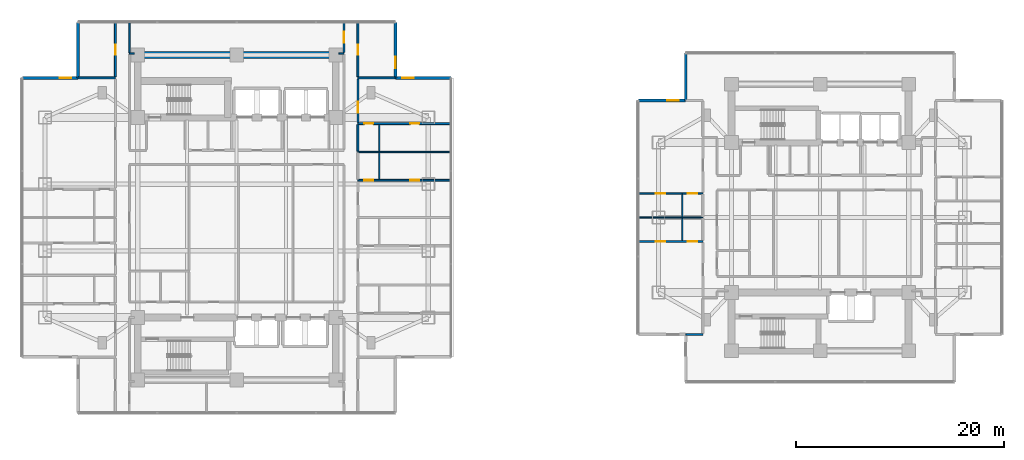
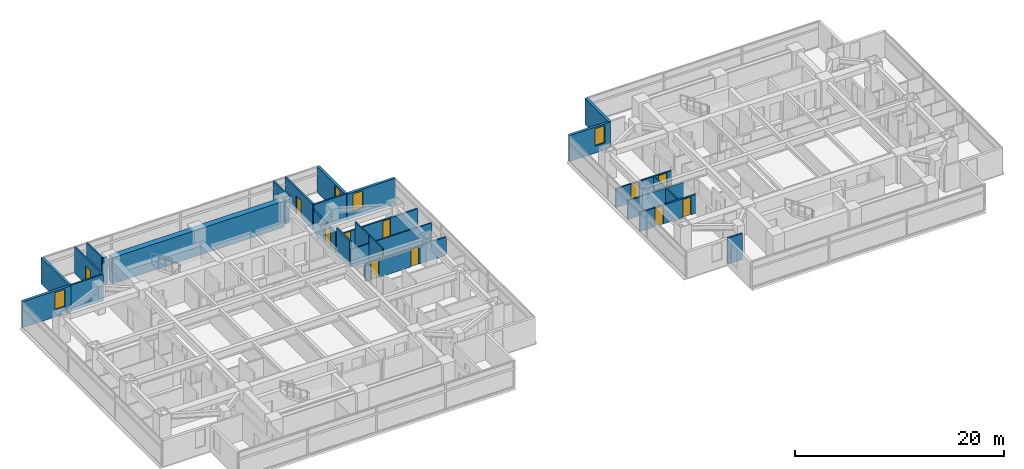
# One storey, part 17 of 27: 28 walls, 12 doors, 4 windows, 16 openings.
"""IFC4 building model written with IfcOpenShell, lengths in metres."""

from ifc_helpers import new_model, si_unit, direction, frame, frame_2d, origin, place, context, subcontext, project, spatial, rectangle, extrude, material, layer, layer_set, type_object, element, fill, save


model = new_model("IFC4")

# Units and contexts
model_context = context("Model", 3, precision=1e-05, world=origin(), true_north=direction((0.0, 1.0)))
body_context = subcontext(model_context, "Body", "Model", "MODEL_VIEW")
ifc_project = project(units=[si_unit("LENGTHUNIT", "METRE"), si_unit("AREAUNIT", "SQUARE_METRE"), si_unit("VOLUMEUNIT", "CUBIC_METRE"), si_unit("PLANEANGLEUNIT", "RADIAN"), si_unit("MASSUNIT", "GRAM", prefix="KILO")], contexts=[model_context])

# Site, building, storey
site_placement = place(None, origin())
site = spatial("IfcSite", under=ifc_project, at=site_placement, CompositionType="ELEMENT")
building_placement = place(site_placement, origin())
building = spatial("IfcBuilding", under=site, at=building_placement, Name="Mirazonda Arch Towers", CompositionType="ELEMENT")
storey_placement = place(building_placement, frame((0.0, 0.0, 52.10009765625)))
storey = spatial("IfcBuildingStorey", under=building, at=storey_placement, Name="L14", CompositionType="ELEMENT", Elevation=52.10009765625)

# Wall
ifc_material_1 = material(Name="Concrete C60/75", Category="concrete")
ifc_layer_1 = layer(ifc_material_1, 0.64990234375, Name="WALL-CORE-650")
ifc_layer_set_1 = layer_set([ifc_layer_1], Name="Concrete C60/75")
wall_type_1 = type_object("IfcWallType", Name="WALL-CORE-650", PredefinedType="SHEAR", material=ifc_layer_set_1)
wall_1_placement = place(storey_placement, frame((11.0, 43.60009765625, 0.0), z_axis=(0.0, 0.0, 1.0), x_axis=(1.0, 0.0, 0.0)))
element("IfcWall", 1, at=wall_1_placement, inside=storey, type_object=wall_type_1, Name="L14 T1N-N Core Shear Wall", PredefinedType="SHEAR", context=body_context, shape_type="SweptSolid", body=[
    extrude(rectangle(XDim=19.0, YDim=0.64990234375, at=frame_2d((9.5, 0.0))), origin(), (0.0, 0.0, 1.0), 3.059814453125),
])

# Wall, opening, window
ifc_material_2 = material(Name="Precast Concrete C40/50", Category="concrete")
ifc_layer_2 = layer(ifc_material_2, 0.280029296875, Name="WALL-EXT-WALL-280")
ifc_layer_set_2 = layer_set([ifc_layer_2], Name="Precast Concrete C40/50")
wall_type_2 = type_object("IfcWallType", Name="WALL-EXT-WALL-280", PredefinedType="SOLIDWALL", material=ifc_layer_set_2)
wall_2_placement = place(storey_placement, frame((35.739990234375, 41.39990234375, 0.0), z_axis=(0.0, 0.0, 1.0), x_axis=(0.0, 1.0, 0.0)))
wall_2 = element("IfcWall", 2, at=wall_2_placement, inside=storey, type_object=wall_type_2, Name="L14 T1 Notched NE Corner Wall WL-L14-T1-CNE", PredefinedType="SOLIDWALL", context=body_context, shape_type="SweptSolid", body=[
    extrude(rectangle(XDim=5.340087890625, YDim=0.280029296875, at=frame_2d((2.669921875, 0.0))), origin(), (0.0, 0.0, 1.0), 3.039794921875),
])
opening_1_placement = place(wall_2_placement, frame((0.949951171875, 0.0, 0.85009765625)))
opening_1 = element("IfcOpeningElement", 3, at=opening_1_placement, cuts=wall_2, Name="Opening WN-108", PredefinedType="OPENING", context=body_context, shape_type="SweptSolid", body=[
    extrude(rectangle(XDim=1.10009765625, YDim=2.0, at=frame_2d((0.550048828125, 1.0))), frame((0.0, 0.14990234375, 0.0), z_axis=(0.0, -1.0, 0.0), x_axis=(1.0, 0.0, 0.0)), (0.0, 0.0, 1.0), 0.300048828125),
])
ifc_material_3 = material(Name="Insulated Low-E Solar Glass", Category="glass")
window_type = type_object("IfcWindowType", Name="WIN-NOTCH-1100x2000", PartitioningType="SINGLE_PANEL", PredefinedType="WINDOW", material=ifc_material_3)
window_1_placement = place(opening_1_placement, origin())
window_1 = element("IfcWindow", 4, at=window_1_placement, inside=storey, type_object=window_type, Name="L14 Punched Facade Window WN-L14-T1-CNE", OverallHeight=2.0, OverallWidth=1.10009765625, PartitioningType="SINGLE_PANEL", PredefinedType="WINDOW", context=body_context, shape_type="SweptSolid", body=[
    extrude(rectangle(XDim=1.10009765625, YDim=2.0, at=frame_2d((0.550048828125, 1.0))), frame((0.0, 0.030029296875, 0.0), z_axis=(0.0, -1.0, 0.0), x_axis=(1.0, 0.0, 0.0)), (0.0, 0.0, 1.0), 0.06005859375),
])
fill(opening_1, window_1)

wall_3_placement = place(storey_placement, frame((5.260009765625, 41.39990234375, 0.0), z_axis=(0.0, 0.0, 1.0), x_axis=(-1.0, 0.0, 0.0)))
wall_3 = element("IfcWall", 5, at=wall_3_placement, inside=storey, type_object=wall_type_2, Name="L14 T1 Corner Notch Return Wall WL-L14-T1-CNW1", PredefinedType="SOLIDWALL", context=body_context, shape_type="SweptSolid", body=[
    extrude(rectangle(XDim=5.340087890625, YDim=0.280029296875, at=frame_2d((2.669921875, 0.0))), origin(), (0.0, 0.0, 1.0), 3.039794921875),
])
opening_2_placement = place(wall_3_placement, frame((0.64990234375, 0.0, 0.85009765625)))
opening_2 = element("IfcOpeningElement", 6, at=opening_2_placement, cuts=wall_3, Name="Opening WN-108", PredefinedType="OPENING", context=body_context, shape_type="SweptSolid", body=[
    extrude(rectangle(XDim=1.10009765625, YDim=2.0, at=frame_2d((0.550048828125, 1.0))), frame((0.0, 0.14990234375, 0.0), z_axis=(0.0, -1.0, 0.0), x_axis=(1.0, 0.0, 0.0)), (0.0, 0.0, 1.0), 0.300048828125),
])
window_2_placement = place(opening_2_placement, origin())
window_2 = element("IfcWindow", 7, at=window_2_placement, inside=storey, type_object=window_type, Name="L14 Punched Facade Window WN-L14-T1-CNW1", OverallHeight=2.0, OverallWidth=1.10009765625, PartitioningType="SINGLE_PANEL", PredefinedType="WINDOW", context=body_context, shape_type="SweptSolid", body=[
    extrude(rectangle(XDim=1.10009765625, YDim=2.0, at=frame_2d((0.550048828125, 1.0))), frame((0.0, 0.030029296875, 0.0), z_axis=(0.0, -1.0, 0.0), x_axis=(1.0, 0.0, 0.0)), (0.0, 0.0, 1.0), 0.06005859375),
])
fill(opening_2, window_2)

# Wall
wall_4_placement = place(storey_placement, frame((5.260009765625, 46.739990234375, 0.0), z_axis=(0.0, 0.0, 1.0), x_axis=(0.0, -1.0, 0.0)))
element("IfcWall", 8, at=wall_4_placement, inside=storey, type_object=wall_type_2, Name="L14 T1 Corner Notch Return Wall WL-L14-T1-CNW2", PredefinedType="SOLIDWALL", context=body_context, shape_type="SweptSolid", body=[
    extrude(rectangle(XDim=5.340087890625, YDim=0.280029296875, at=frame_2d((2.669921875, 0.0))), origin(), (0.0, 0.0, 1.0), 3.039794921875),
])

# Wall, opening, window
wall_5_placement = place(storey_placement, frame((41.080078125, 41.39990234375, 0.0), z_axis=(0.0, 0.0, 1.0), x_axis=(-1.0, 0.0, 0.0)))
wall_5 = element("IfcWall", 9, at=wall_5_placement, inside=storey, type_object=wall_type_2, Name="L14 T1 Corner Notch Return Wall WL-L14-T1-CNE2", PredefinedType="SOLIDWALL", context=body_context, shape_type="SweptSolid", body=[
    extrude(rectangle(XDim=5.340087890625, YDim=0.280029296875, at=frame_2d((2.669921875, 0.0))), origin(), (0.0, 0.0, 1.0), 3.039794921875),
])
opening_3_placement = place(wall_5_placement, frame((3.590087890625, 0.0, 0.85009765625)))
opening_3 = element("IfcOpeningElement", 10, at=opening_3_placement, cuts=wall_5, Name="Opening WN-108", PredefinedType="OPENING", context=body_context, shape_type="SweptSolid", body=[
    extrude(rectangle(XDim=1.10009765625, YDim=2.0, at=frame_2d((0.550048828125, 1.0))), frame((0.0, 0.14990234375, 0.0), z_axis=(0.0, -1.0, 0.0), x_axis=(1.0, 0.0, 0.0)), (0.0, 0.0, 1.0), 0.300048828125),
])
window_3_placement = place(opening_3_placement, origin())
window_3 = element("IfcWindow", 11, at=window_3_placement, inside=storey, type_object=window_type, Name="L14 Punched Facade Window WN-L14-T1-CNE2", OverallHeight=2.0, OverallWidth=1.10009765625, PartitioningType="SINGLE_PANEL", PredefinedType="WINDOW", context=body_context, shape_type="SweptSolid", body=[
    extrude(rectangle(XDim=1.10009765625, YDim=2.0, at=frame_2d((0.550048828125, 1.0))), frame((0.0, 0.030029296875, 0.0), z_axis=(0.0, -1.0, 0.0), x_axis=(1.0, 0.0, 0.0)), (0.0, 0.0, 1.0), 0.06005859375),
])
fill(opening_3, window_3)

wall_6_placement = place(storey_placement, frame((63.60595703125, 39.22998046875, 0.0), z_axis=(0.0, 0.0, 1.0), x_axis=(-1.0, 0.0, 0.0)))
wall_6 = element("IfcWall", 12, at=wall_6_placement, inside=storey, type_object=wall_type_2, Name="L14 T2 Corner Notch Return Wall WL-L14-T2-CNW1", PredefinedType="SOLIDWALL", context=body_context, shape_type="SweptSolid", body=[
    extrude(rectangle(XDim=4.5458984375, YDim=0.280029296875, at=frame_2d((2.27294921875, 0.0))), origin(), (0.0, 0.0, 1.0), 3.039794921875),
])
opening_4_placement = place(wall_6_placement, frame((0.64990234375, 0.0, 0.85009765625)))
opening_4 = element("IfcOpeningElement", 13, at=opening_4_placement, cuts=wall_6, Name="Opening WN-108", PredefinedType="OPENING", context=body_context, shape_type="SweptSolid", body=[
    extrude(rectangle(XDim=1.10009765625, YDim=2.0, at=frame_2d((0.550048828125, 1.0))), frame((0.0, 0.14990234375, 0.0), z_axis=(0.0, -1.0, 0.0), x_axis=(1.0, 0.0, 0.0)), (0.0, 0.0, 1.0), 0.300048828125),
])
window_4_placement = place(opening_4_placement, origin())
window_4 = element("IfcWindow", 14, at=window_4_placement, inside=storey, type_object=window_type, Name="L14 Punched Facade Window WN-L14-T2-CNW1", OverallHeight=2.0, OverallWidth=1.10009765625, PartitioningType="SINGLE_PANEL", PredefinedType="WINDOW", context=body_context, shape_type="SweptSolid", body=[
    extrude(rectangle(XDim=1.10009765625, YDim=2.0, at=frame_2d((0.550048828125, 1.0))), frame((0.0, 0.030029296875, 0.0), z_axis=(0.0, -1.0, 0.0), x_axis=(1.0, 0.0, 0.0)), (0.0, 0.0, 1.0), 0.06005859375),
])
fill(opening_4, window_4)

# Wall
wall_7_placement = place(storey_placement, frame((63.60595703125, 43.77587890625, 0.0), z_axis=(0.0, 0.0, 1.0), x_axis=(0.0, -1.0, 0.0)))
element("IfcWall", 15, at=wall_7_placement, inside=storey, type_object=wall_type_2, Name="L14 T2 Corner Notch Return Wall WL-L14-T2-CNW2", PredefinedType="SOLIDWALL", context=body_context, shape_type="SweptSolid", body=[
    extrude(rectangle(XDim=4.5458984375, YDim=0.280029296875, at=frame_2d((2.27294921875, 0.0))), origin(), (0.0, 0.0, 1.0), 3.039794921875),
])

# Wall, openings, doors
ifc_material_4 = material(Name="Fire-Rated Gypsum Stud Partition")
ifc_layer_3 = layer(ifc_material_4, 0.14990234375, Name="WALL-PART-CORR-150")
ifc_layer_set_3 = layer_set([ifc_layer_3], Name="Fire-Rated Gypsum Stud Partition")
wall_type_3 = type_object("IfcWallType", Name="WALL-PART-CORR-150", PredefinedType="PARTITIONING", material=ifc_layer_set_3)
wall_8_placement = place(storey_placement, frame((59.06005859375, 30.300048828125, 0.0), z_axis=(0.0, 0.0, 1.0), x_axis=(1.0, 0.0, 0.0)))
wall_8 = element("IfcWall", 16, at=wall_8_placement, inside=storey, type_object=wall_type_3, Name="L14 Interior Partition 037", PredefinedType="PARTITIONING", context=body_context, shape_type="SweptSolid", body=[
    extrude(rectangle(XDim=6.18994140625, YDim=0.14990234375, at=frame_2d((3.094970703125, 0.0))), origin(), (0.0, 0.0, 1.0), 2.19580078125),
])
opening_5_placement = place(wall_8_placement, frame((1.6494140625, 0.0, 0.0)))
opening_5 = element("IfcOpeningElement", 17, at=opening_5_placement, cuts=wall_8, Name="Opening DR-104", PredefinedType="OPENING", context=body_context, shape_type="SweptSolid", body=[
    extrude(rectangle(XDim=0.949951171875, YDim=2.14990234375, at=frame_2d((0.47509765625, 1.074951171875))), frame((0.0, 0.0849609375, 0.0), z_axis=(0.0, -1.0, 0.0), x_axis=(1.0, 0.0, 0.0)), (0.0, 0.0, 1.0), 0.169921875),
])
opening_6_placement = place(wall_8_placement, frame((4.7294921875, 0.0, 0.0)))
opening_6 = element("IfcOpeningElement", 18, at=opening_6_placement, cuts=wall_8, Name="Opening DR-120", PredefinedType="OPENING", context=body_context, shape_type="SweptSolid", body=[
    extrude(rectangle(XDim=0.89990234375, YDim=2.10009765625, at=frame_2d((0.449951171875, 1.050048828125))), frame((0.0, 0.0849609375, 0.0), z_axis=(0.0, -1.0, 0.0), x_axis=(1.0, 0.0, 0.0)), (0.0, 0.0, 1.0), 0.169921875),
])
ifc_material_5 = material(Name="Architectural Brushed Steel S355", Category="steel")
door_type_1 = type_object("IfcDoorType", Name="DOOR-ROOM-950", OperationType="NOTDEFINED", PredefinedType="DOOR", material=ifc_material_5)
door_1_placement = place(opening_5_placement, origin())
door_1 = element("IfcDoor", 19, at=door_1_placement, inside=storey, type_object=door_type_1, Name="L14 Studio 2 Galley Kitchen Door", OperationType="SINGLE_SWING_LEFT", OverallHeight=2.14990234375, OverallWidth=0.949951171875, PredefinedType="DOOR", context=body_context, shape_type="SweptSolid", body=[
    extrude(rectangle(XDim=0.949951171875, YDim=2.14990234375, at=frame_2d((0.47509765625, 1.074951171875))), frame((0.0, 0.02490234375, 0.0), z_axis=(0.0, -1.0, 0.0), x_axis=(1.0, 0.0, 0.0)), (0.0, 0.0, 1.0), 0.050048828125),
])
fill(opening_5, door_1)
door_type_2 = type_object("IfcDoorType", Name="DOOR-WC-900", OperationType="NOTDEFINED", PredefinedType="DOOR", material=ifc_material_5)
door_2_placement = place(opening_6_placement, origin())
door_2 = element("IfcDoor", 20, at=door_2_placement, inside=storey, type_object=door_type_2, Name="L14 Studio 2 Bathroom Door", OperationType="SINGLE_SWING_RIGHT", OverallHeight=2.10009765625, OverallWidth=0.89990234375, PredefinedType="DOOR", context=body_context, shape_type="SweptSolid", body=[
    extrude(rectangle(XDim=0.89990234375, YDim=2.10009765625, at=frame_2d((0.449951171875, 1.050048828125))), frame((0.0, 0.02490234375, 0.0), z_axis=(0.0, -1.0, 0.0), x_axis=(1.0, 0.0, 0.0)), (0.0, 0.0, 1.0), 0.050048828125),
])
fill(opening_6, door_2)

# Walls
for number, where, z_axis, x_axis, name in (
    (21, (10.199951171875, 43.75, 0.0), (0.0, 0.0, 1.0), (1.0, 0.0, 0.0), "L14 Interior Partition 061"),
    (22, (30.320068359375, 43.75, 0.0), (0.0, 0.0, 1.0), (1.0, 0.0, 0.0), "L14 Interior Partition 062"),
):
    element("IfcWall", number, at=place(storey_placement, frame(where, z_axis=z_axis, x_axis=x_axis)), inside=storey, type_object=wall_type_3, Name=name, PredefinedType="PARTITIONING", context=body_context, shape_type="SweptSolid", body=[
        extrude(rectangle(XDim=0.47998046875, YDim=0.14990234375, at=frame_2d((0.239990234375, 0.0))), origin(), (0.0, 0.0, 1.0), 3.059814453125),
    ])
wall_9_placement = place(storey_placement, frame((10.199951171875, 43.8349609375, 0.0), z_axis=(0.0, 0.0, 1.0), x_axis=(0.0, 1.0, 0.0)))
element("IfcWall", 23, at=wall_9_placement, inside=storey, type_object=wall_type_3, Name="L14 Interior Partition 079", PredefinedType="PARTITIONING", context=body_context, shape_type="SweptSolid", body=[
    extrude(rectangle(XDim=2.905029296875, YDim=0.14990234375, at=frame_2d((1.45263671875, 0.0))), origin(), (0.0, 0.0, 1.0), 3.059814453125),
])

# Wall, opening, door
wall_10_placement = place(storey_placement, frame((30.800048828125, 43.8349609375, 0.0), z_axis=(0.0, 0.0, 1.0), x_axis=(0.0, 1.0, 0.0)))
wall_10 = element("IfcWall", 24, at=wall_10_placement, inside=storey, type_object=wall_type_3, Name="L14 Interior Partition 106", PredefinedType="PARTITIONING", context=body_context, shape_type="SweptSolid", body=[
    extrude(rectangle(XDim=2.905029296875, YDim=0.14990234375, at=frame_2d((1.45263671875, 0.0))), origin(), (0.0, 0.0, 1.0), 3.059814453125),
])
opening_7_placement = place(wall_10_placement, frame((0.927490234375, 0.0, 0.0)))
opening_7 = element("IfcOpeningElement", 25, at=opening_7_placement, cuts=wall_10, Name="Opening DR-121", PredefinedType="OPENING", context=body_context, shape_type="SweptSolid", body=[
    extrude(rectangle(XDim=1.050048828125, YDim=2.199951171875, at=frame_2d((0.52490234375, 1.10009765625))), frame((0.0, 0.0849609375, 0.0), z_axis=(0.0, -1.0, 0.0), x_axis=(1.0, 0.0, 0.0)), (0.0, 0.0, 1.0), 0.169921875),
])
door_type_3 = type_object("IfcDoorType", Name="DOOR-SUITE-FD60-1050", OperationType="NOTDEFINED", PredefinedType="DOOR", material=ifc_material_5)
door_3_placement = place(opening_7_placement, origin())
door_3 = element("IfcDoor", 26, at=door_3_placement, inside=storey, type_object=door_type_3, Name="L14 North Reading Salon Suite Door", OperationType="SINGLE_SWING_LEFT", OverallHeight=2.199951171875, OverallWidth=1.050048828125, PredefinedType="DOOR", context=body_context, shape_type="SweptSolid", body=[
    extrude(rectangle(XDim=1.050048828125, YDim=2.199951171875, at=frame_2d((0.52490234375, 1.10009765625))), frame((0.0, 0.02490234375, 0.0), z_axis=(0.0, -1.0, 0.0), x_axis=(1.0, 0.0, 0.0)), (0.0, 0.0, 1.0), 0.050048828125),
])
fill(opening_7, door_3)

# Wall
ifc_material_6 = material(Name="Fire-Rated Gypsum Twin-Stud Assembly")
ifc_layer_4 = layer(ifc_material_6, 0.179931640625, Name="WALL-PART-DEMISE-180")
ifc_layer_set_4 = layer_set([ifc_layer_4], Name="Fire-Rated Gypsum Twin-Stud Assembly")
wall_type_4 = type_object("IfcWallType", Name="WALL-PART-DEMISE-180", PredefinedType="PARTITIONING", material=ifc_layer_set_4)
wall_11_placement = place(storey_placement, frame((63.6259765625, 16.77001953125, 0.0), z_axis=(0.0, 0.0, 1.0), x_axis=(1.0, 0.0, 0.0)))
element("IfcWall", 27, at=wall_11_placement, inside=storey, type_object=wall_type_4, Name="L14 Interior Partition 009", PredefinedType="PARTITIONING", context=body_context, shape_type="SweptSolid", body=[
    extrude(rectangle(XDim=1.6240234375, YDim=0.179931640625, at=frame_2d((0.81201171875, 0.0))), origin(), (0.0, 0.0, 1.0), 3.059814453125),
])

# Wall, openings, doors
wall_12_placement = place(storey_placement, frame((59.06005859375, 25.699951171875, 0.0), z_axis=(0.0, 0.0, 1.0), x_axis=(1.0, 0.0, 0.0)))
wall_12 = element("IfcWall", 28, at=wall_12_placement, inside=storey, type_object=wall_type_4, Name="L14 Interior Partition 031", PredefinedType="PARTITIONING", context=body_context, shape_type="SweptSolid", body=[
    extrude(rectangle(XDim=6.18994140625, YDim=0.179931640625, at=frame_2d((3.094970703125, 0.0))), origin(), (0.0, 0.0, 1.0), 2.19580078125),
])
opening_8_placement = place(wall_12_placement, frame((1.6494140625, 0.0, 0.0)))
opening_8 = element("IfcOpeningElement", 29, at=opening_8_placement, cuts=wall_12, Name="Opening DR-104", PredefinedType="OPENING", context=body_context, shape_type="SweptSolid", body=[
    extrude(rectangle(XDim=0.949951171875, YDim=2.14990234375, at=frame_2d((0.47509765625, 1.074951171875))), frame((0.0, 0.099853515625, 0.0), z_axis=(0.0, -1.0, 0.0), x_axis=(1.0, 0.0, 0.0)), (0.0, 0.0, 1.0), 0.199951171875),
])
opening_9_placement = place(wall_12_placement, frame((4.7294921875, 0.0, 0.0)))
opening_9 = element("IfcOpeningElement", 30, at=opening_9_placement, cuts=wall_12, Name="Opening DR-120", PredefinedType="OPENING", context=body_context, shape_type="SweptSolid", body=[
    extrude(rectangle(XDim=0.89990234375, YDim=2.10009765625, at=frame_2d((0.449951171875, 1.050048828125))), frame((0.0, 0.099853515625, 0.0), z_axis=(0.0, -1.0, 0.0), x_axis=(1.0, 0.0, 0.0)), (0.0, 0.0, 1.0), 0.199951171875),
])
door_4_placement = place(opening_8_placement, origin())
door_4 = element("IfcDoor", 31, at=door_4_placement, inside=storey, type_object=door_type_1, Name="L14 Studio 1 Galley Kitchen Door", OperationType="SINGLE_SWING_RIGHT", OverallHeight=2.14990234375, OverallWidth=0.949951171875, PredefinedType="DOOR", context=body_context, shape_type="SweptSolid", body=[
    extrude(rectangle(XDim=0.949951171875, YDim=2.14990234375, at=frame_2d((0.47509765625, 1.074951171875))), frame((0.0, 0.02490234375, 0.0), z_axis=(0.0, -1.0, 0.0), x_axis=(1.0, 0.0, 0.0)), (0.0, 0.0, 1.0), 0.050048828125),
])
fill(opening_8, door_4)
door_5_placement = place(opening_9_placement, origin())
door_5 = element("IfcDoor", 32, at=door_5_placement, inside=storey, type_object=door_type_2, Name="L14 Studio 1 Bathroom Door", OperationType="SINGLE_SWING_LEFT", OverallHeight=2.10009765625, OverallWidth=0.89990234375, PredefinedType="DOOR", context=body_context, shape_type="SweptSolid", body=[
    extrude(rectangle(XDim=0.89990234375, YDim=2.10009765625, at=frame_2d((0.449951171875, 1.050048828125))), frame((0.0, 0.02490234375, 0.0), z_axis=(0.0, -1.0, 0.0), x_axis=(1.0, 0.0, 0.0)), (0.0, 0.0, 1.0), 0.050048828125),
])
fill(opening_9, door_5)

wall_13_placement = place(storey_placement, frame((32.139892578125, 31.575927734375, 0.0), z_axis=(0.0, 0.0, 1.0), x_axis=(1.0, 0.0, 0.0)))
wall_13 = element("IfcWall", 33, at=wall_13_placement, inside=storey, type_object=wall_type_4, Name="L14 Interior Partition 040", PredefinedType="PARTITIONING", context=body_context, shape_type="SweptSolid", body=[
    extrude(rectangle(XDim=8.940185546875, YDim=0.179931640625, at=frame_2d((4.47021484375, 0.0))), origin(), (0.0, 0.0, 1.0), 2.125),
])
opening_10_placement = place(wall_13_placement, frame((5.044921875, 0.0, 0.0)))
opening_10 = element("IfcOpeningElement", 34, at=opening_10_placement, cuts=wall_13, Name="Opening DR-128", PredefinedType="OPENING", context=body_context, shape_type="SweptSolid", body=[
    extrude(rectangle(XDim=0.85009765625, YDim=2.010009765625, at=frame_2d((0.425048828125, 1.0048828125))), frame((0.0, 0.099853515625, 0.0), z_axis=(0.0, -1.0, 0.0), x_axis=(1.0, 0.0, 0.0)), (0.0, 0.0, 1.0), 0.199951171875),
])
opening_11_placement = place(wall_13_placement, frame((0.590087890625, 0.0, 0.0)))
opening_11 = element("IfcOpeningElement", 35, at=opening_11_placement, cuts=wall_13, Name="Opening DR-120", PredefinedType="OPENING", context=body_context, shape_type="SweptSolid", body=[
    extrude(rectangle(XDim=0.89990234375, YDim=2.10009765625, at=frame_2d((0.449951171875, 1.050048828125))), frame((0.0, 0.099853515625, 0.0), z_axis=(0.0, -1.0, 0.0), x_axis=(1.0, 0.0, 0.0)), (0.0, 0.0, 1.0), 0.199951171875),
])
door_type_4 = type_object("IfcDoorType", Name="DOOR-RISER-FD60-850", OperationType="NOTDEFINED", PredefinedType="DOOR", material=ifc_material_5)
door_6_placement = place(opening_10_placement, origin())
door_6 = element("IfcDoor", 36, at=door_6_placement, inside=storey, type_object=door_type_4, Name="L14 Guestroom Study 3 Door", OperationType="SINGLE_SWING_LEFT", OverallHeight=2.010009765625, OverallWidth=0.85009765625, PredefinedType="DOOR", context=body_context, shape_type="SweptSolid", body=[
    extrude(rectangle(XDim=0.85009765625, YDim=2.010009765625, at=frame_2d((0.425048828125, 1.0048828125))), frame((0.0, 0.02490234375, 0.0), z_axis=(0.0, -1.0, 0.0), x_axis=(1.0, 0.0, 0.0)), (0.0, 0.0, 1.0), 0.050048828125),
])
fill(opening_10, door_6)
door_7_placement = place(opening_11_placement, origin())
door_7 = element("IfcDoor", 37, at=door_7_placement, inside=storey, type_object=door_type_2, Name="L14 En-Suite Bathroom 3 Door", OperationType="SINGLE_SWING_RIGHT", OverallHeight=2.10009765625, OverallWidth=0.89990234375, PredefinedType="DOOR", context=body_context, shape_type="SweptSolid", body=[
    extrude(rectangle(XDim=0.89990234375, YDim=2.10009765625, at=frame_2d((0.449951171875, 1.050048828125))), frame((0.0, 0.02490234375, 0.0), z_axis=(0.0, -1.0, 0.0), x_axis=(1.0, 0.0, 0.0)), (0.0, 0.0, 1.0), 0.050048828125),
])
fill(opening_11, door_7)

wall_14_placement = place(storey_placement, frame((32.139892578125, 37.010009765625, 0.0), z_axis=(0.0, 0.0, 1.0), x_axis=(1.0, 0.0, 0.0)))
wall_14 = element("IfcWall", 38, at=wall_14_placement, inside=storey, type_object=wall_type_4, Name="L14 Interior Partition 051", PredefinedType="PARTITIONING", context=body_context, shape_type="SweptSolid", body=[
    extrude(rectangle(XDim=8.940185546875, YDim=0.179931640625, at=frame_2d((4.47021484375, 0.0))), origin(), (0.0, 0.0, 1.0), 2.125),
])
opening_12_placement = place(wall_14_placement, frame((5.044921875, 0.0, 0.0)))
opening_12 = element("IfcOpeningElement", 39, at=opening_12_placement, cuts=wall_14, Name="Opening DR-128", PredefinedType="OPENING", context=body_context, shape_type="SweptSolid", body=[
    extrude(rectangle(XDim=0.85009765625, YDim=2.010009765625, at=frame_2d((0.425048828125, 1.0048828125))), frame((0.0, 0.099853515625, 0.0), z_axis=(0.0, -1.0, 0.0), x_axis=(1.0, 0.0, 0.0)), (0.0, 0.0, 1.0), 0.199951171875),
])
opening_13_placement = place(wall_14_placement, frame((0.590087890625, 0.0, 0.0)))
opening_13 = element("IfcOpeningElement", 40, at=opening_13_placement, cuts=wall_14, Name="Opening DR-120", PredefinedType="OPENING", context=body_context, shape_type="SweptSolid", body=[
    extrude(rectangle(XDim=0.89990234375, YDim=2.10009765625, at=frame_2d((0.449951171875, 1.050048828125))), frame((0.0, 0.099853515625, 0.0), z_axis=(0.0, -1.0, 0.0), x_axis=(1.0, 0.0, 0.0)), (0.0, 0.0, 1.0), 0.199951171875),
])
door_8_placement = place(opening_12_placement, origin())
door_8 = element("IfcDoor", 41, at=door_8_placement, inside=storey, type_object=door_type_4, Name="L14 Guestroom Study 4 Door", OperationType="SINGLE_SWING_RIGHT", OverallHeight=2.010009765625, OverallWidth=0.85009765625, PredefinedType="DOOR", context=body_context, shape_type="SweptSolid", body=[
    extrude(rectangle(XDim=0.85009765625, YDim=2.010009765625, at=frame_2d((0.425048828125, 1.0048828125))), frame((0.0, 0.02490234375, 0.0), z_axis=(0.0, -1.0, 0.0), x_axis=(1.0, 0.0, 0.0)), (0.0, 0.0, 1.0), 0.050048828125),
])
fill(opening_12, door_8)
door_9_placement = place(opening_13_placement, origin())
door_9 = element("IfcDoor", 42, at=door_9_placement, inside=storey, type_object=door_type_2, Name="L14 En-Suite Bathroom 4 Door", OperationType="SINGLE_SWING_LEFT", OverallHeight=2.10009765625, OverallWidth=0.89990234375, PredefinedType="DOOR", context=body_context, shape_type="SweptSolid", body=[
    extrude(rectangle(XDim=0.89990234375, YDim=2.10009765625, at=frame_2d((0.449951171875, 1.050048828125))), frame((0.0, 0.02490234375, 0.0), z_axis=(0.0, -1.0, 0.0), x_axis=(1.0, 0.0, 0.0)), (0.0, 0.0, 1.0), 0.050048828125),
])
fill(opening_13, door_9)

# Walls
for number, where, z_axis, x_axis, name in (
    (43, (5.280029296875, 41.39990234375, 0.0), (0.0, 0.0, 1.0), (1.0, 0.0, 0.0), "L14 Interior Partition 059"),
    (44, (32.139892578125, 41.39990234375, 0.0), (0.0, 0.0, 1.0), (1.0, 0.0, 0.0), "L14 Interior Partition 060"),
):
    element("IfcWall", number, at=place(storey_placement, frame(where, z_axis=z_axis, x_axis=x_axis)), inside=storey, type_object=wall_type_4, Name=name, PredefinedType="PARTITIONING", context=body_context, shape_type="SweptSolid", body=[
        extrude(rectangle(XDim=3.580078125, YDim=0.179931640625, at=frame_2d((1.7900390625, 0.0))), origin(), (0.0, 0.0, 1.0), 3.059814453125),
    ])

# Wall, opening, door
wall_15_placement = place(storey_placement, frame((8.860107421875, 41.5, 0.0), z_axis=(0.0, 0.0, 1.0), x_axis=(0.0, 1.0, 0.0)))
wall_15 = element("IfcWall", 45, at=wall_15_placement, inside=storey, type_object=wall_type_4, Name="L14 Interior Partition 073", PredefinedType="PARTITIONING", context=body_context, shape_type="SweptSolid", body=[
    extrude(rectangle(XDim=5.239990234375, YDim=0.179931640625, at=frame_2d((2.6201171875, 0.0))), origin(), (0.0, 0.0, 1.0), 3.059814453125),
])
opening_14_placement = place(wall_15_placement, frame((2.14501953125, 0.0, 0.0)))
opening_14 = element("IfcOpeningElement", 46, at=opening_14_placement, cuts=wall_15, Name="Opening DR-104", PredefinedType="OPENING", context=body_context, shape_type="SweptSolid", body=[
    extrude(rectangle(XDim=0.949951171875, YDim=2.14990234375, at=frame_2d((0.47509765625, 1.074951171875))), frame((0.0, 0.099853515625, 0.0), z_axis=(0.0, -1.0, 0.0), x_axis=(1.0, 0.0, 0.0)), (0.0, 0.0, 1.0), 0.199951171875),
])
door_10_placement = place(opening_14_placement, origin())
door_10 = element("IfcDoor", 47, at=door_10_placement, inside=storey, type_object=door_type_1, Name="L14 North Reading Salon Alcove West Door", OperationType="SINGLE_SWING_RIGHT", OverallHeight=2.14990234375, OverallWidth=0.949951171875, PredefinedType="DOOR", context=body_context, shape_type="SweptSolid", body=[
    extrude(rectangle(XDim=0.949951171875, YDim=2.14990234375, at=frame_2d((0.47509765625, 1.074951171875))), frame((0.0, 0.02490234375, 0.0), z_axis=(0.0, -1.0, 0.0), x_axis=(1.0, 0.0, 0.0)), (0.0, 0.0, 1.0), 0.050048828125),
])
fill(opening_14, door_10)

# Wall
wall_16_placement = place(storey_placement, frame((32.139892578125, 34.362548828125, 0.0), z_axis=(0.0, 0.0, 1.0), x_axis=(0.0, 1.0, 0.0)))
element("IfcWall", 48, at=wall_16_placement, inside=storey, type_object=wall_type_4, Name="L14 Interior Partition 114", PredefinedType="PARTITIONING", context=body_context, shape_type="SweptSolid", body=[
    extrude(rectangle(XDim=2.54736328125, YDim=0.179931640625, at=frame_2d((1.273681640625, 0.0))), origin(), (0.0, 0.0, 1.0), 3.059814453125),
])

# Wall, opening, door
wall_17_placement = place(storey_placement, frame((32.139892578125, 37.110107421875, 0.0), z_axis=(0.0, 0.0, 1.0), x_axis=(0.0, 1.0, 0.0)))
wall_17 = element("IfcWall", 49, at=wall_17_placement, inside=storey, type_object=wall_type_4, Name="L14 Interior Partition 115", PredefinedType="PARTITIONING", context=body_context, shape_type="SweptSolid", body=[
    extrude(rectangle(XDim=4.18994140625, YDim=0.179931640625, at=frame_2d((2.094970703125, 0.0))), origin(), (0.0, 0.0, 1.0), 2.435791015625),
])
opening_15_placement = place(wall_17_placement, frame((0.969970703125, 0.0, 0.0)))
opening_15 = element("IfcOpeningElement", 50, at=opening_15_placement, cuts=wall_17, Name="Opening DR-121", PredefinedType="OPENING", context=body_context, shape_type="SweptSolid", body=[
    extrude(rectangle(XDim=1.050048828125, YDim=2.199951171875, at=frame_2d((0.52490234375, 1.10009765625))), frame((0.0, 0.099853515625, 0.0), z_axis=(0.0, -1.0, 0.0), x_axis=(1.0, 0.0, 0.0)), (0.0, 0.0, 1.0), 0.199951171875),
])
door_11_placement = place(opening_15_placement, origin())
door_11 = element("IfcDoor", 51, at=door_11_placement, inside=storey, type_object=door_type_3, Name="L14 Twin Hotel Guestroom 4 Door", OperationType="SINGLE_SWING_LEFT", OverallHeight=2.199951171875, OverallWidth=1.050048828125, PredefinedType="DOOR", context=body_context, shape_type="SweptSolid", body=[
    extrude(rectangle(XDim=1.050048828125, YDim=2.199951171875, at=frame_2d((0.52490234375, 1.10009765625))), frame((0.0, 0.02490234375, 0.0), z_axis=(0.0, -1.0, 0.0), x_axis=(1.0, 0.0, 0.0)), (0.0, 0.0, 1.0), 0.050048828125),
])
fill(opening_15, door_11)

wall_18_placement = place(storey_placement, frame((32.139892578125, 41.5, 0.0), z_axis=(0.0, 0.0, 1.0), x_axis=(0.0, 1.0, 0.0)))
wall_18 = element("IfcWall", 52, at=wall_18_placement, inside=storey, type_object=wall_type_4, Name="L14 Interior Partition 116", PredefinedType="PARTITIONING", context=body_context, shape_type="SweptSolid", body=[
    extrude(rectangle(XDim=5.239990234375, YDim=0.179931640625, at=frame_2d((2.6201171875, 0.0))), origin(), (0.0, 0.0, 1.0), 3.059814453125),
])
opening_16_placement = place(wall_18_placement, frame((2.14501953125, 0.0, 0.0)))
opening_16 = element("IfcOpeningElement", 53, at=opening_16_placement, cuts=wall_18, Name="Opening DR-104", PredefinedType="OPENING", context=body_context, shape_type="SweptSolid", body=[
    extrude(rectangle(XDim=0.949951171875, YDim=2.14990234375, at=frame_2d((0.47509765625, 1.074951171875))), frame((0.0, 0.099853515625, 0.0), z_axis=(0.0, -1.0, 0.0), x_axis=(1.0, 0.0, 0.0)), (0.0, 0.0, 1.0), 0.199951171875),
])
door_12_placement = place(opening_16_placement, origin())
door_12 = element("IfcDoor", 54, at=door_12_placement, inside=storey, type_object=door_type_1, Name="L14 North Reading Salon Alcove East Door", OperationType="SINGLE_SWING_LEFT", OverallHeight=2.14990234375, OverallWidth=0.949951171875, PredefinedType="DOOR", context=body_context, shape_type="SweptSolid", body=[
    extrude(rectangle(XDim=0.949951171875, YDim=2.14990234375, at=frame_2d((0.47509765625, 1.074951171875))), frame((0.0, 0.02490234375, 0.0), z_axis=(0.0, -1.0, 0.0), x_axis=(1.0, 0.0, 0.0)), (0.0, 0.0, 1.0), 0.050048828125),
])
fill(opening_16, door_12)

# Walls
ifc_material_7 = material(Name="Acoustic Fire-Rated Gypsum Partition")
ifc_layer_5 = layer(ifc_material_7, 0.125, Name="WALL-PART-UNIT-125")
ifc_layer_set_5 = layer_set([ifc_layer_5], Name="Acoustic Fire-Rated Gypsum Partition")
wall_type_5 = type_object("IfcWallType", Name="WALL-PART-UNIT-125", PredefinedType="PARTITIONING", material=ifc_layer_set_5)
wall_19_placement = place(storey_placement, frame((59.06005859375, 28.0, 0.0), z_axis=(0.0, 0.0, 1.0), x_axis=(1.0, 0.0, 0.0)))
element("IfcWall", 55, at=wall_19_placement, inside=storey, type_object=wall_type_5, Name="L14 Interior Partition 035", PredefinedType="PARTITIONING", context=body_context, shape_type="SweptSolid", body=[
    extrude(rectangle(XDim=6.18994140625, YDim=0.125, at=frame_2d((3.094970703125, 0.0))), origin(), (0.0, 0.0, 1.0), 2.19580078125),
])
wall_20_placement = place(storey_placement, frame((32.139892578125, 34.2900390625, 0.0), z_axis=(0.0, 0.0, 1.0), x_axis=(1.0, 0.0, 0.0)))
element("IfcWall", 56, at=wall_20_placement, inside=storey, type_object=wall_type_5, Name="L14 Interior Partition 045", PredefinedType="PARTITIONING", context=body_context, shape_type="SweptSolid", body=[
    extrude(rectangle(XDim=8.940185546875, YDim=0.125, at=frame_2d((4.47021484375, 0.0))), origin(), (0.0, 0.0, 1.0), 2.125),
])
wall_21_placement = place(storey_placement, frame((34.179931640625, 31.676025390625, 0.0), z_axis=(0.0, 0.0, 1.0), x_axis=(0.0, 1.0, 0.0)))
element("IfcWall", 57, at=wall_21_placement, inside=storey, type_object=wall_type_5, Name="L14 Interior Partition 119", PredefinedType="PARTITIONING", context=body_context, shape_type="SweptSolid", body=[
    extrude(rectangle(XDim=2.54150390625, YDim=0.125, at=frame_2d((1.270751953125, 0.0))), origin(), (0.0, 0.0, 1.0), 3.059814453125),
])
wall_22_placement = place(storey_placement, frame((34.179931640625, 34.362548828125, 0.0), z_axis=(0.0, 0.0, 1.0), x_axis=(0.0, 1.0, 0.0)))
element("IfcWall", 58, at=wall_22_placement, inside=storey, type_object=wall_type_5, Name="L14 Interior Partition 120", PredefinedType="PARTITIONING", context=body_context, shape_type="SweptSolid", body=[
    extrude(rectangle(XDim=2.54736328125, YDim=0.125, at=frame_2d((1.273681640625, 0.0))), origin(), (0.0, 0.0, 1.0), 3.059814453125),
])
wall_23_placement = place(storey_placement, frame((63.26904296875, 25.800048828125, 0.0), z_axis=(0.0, 0.0, 1.0), x_axis=(0.0, 1.0, 0.0)))
element("IfcWall", 59, at=wall_23_placement, inside=storey, type_object=wall_type_5, Name="L14 Interior Partition 121", PredefinedType="PARTITIONING", context=body_context, shape_type="SweptSolid", body=[
    extrude(rectangle(XDim=2.12744140625, YDim=0.125, at=frame_2d((1.063720703125, 0.0))), origin(), (0.0, 0.0, 1.0), 2.27880859375),
])
wall_24_placement = place(storey_placement, frame((63.26904296875, 28.072509765625, 0.0), z_axis=(0.0, 0.0, 1.0), x_axis=(0.0, 1.0, 0.0)))
element("IfcWall", 60, at=wall_24_placement, inside=storey, type_object=wall_type_5, Name="L14 Interior Partition 122", PredefinedType="PARTITIONING", context=body_context, shape_type="SweptSolid", body=[
    extrude(rectangle(XDim=2.142578125, YDim=0.125, at=frame_2d((1.0712890625, 0.0))), origin(), (0.0, 0.0, 1.0), 2.27880859375),
])

save(model, "model.ifc")
